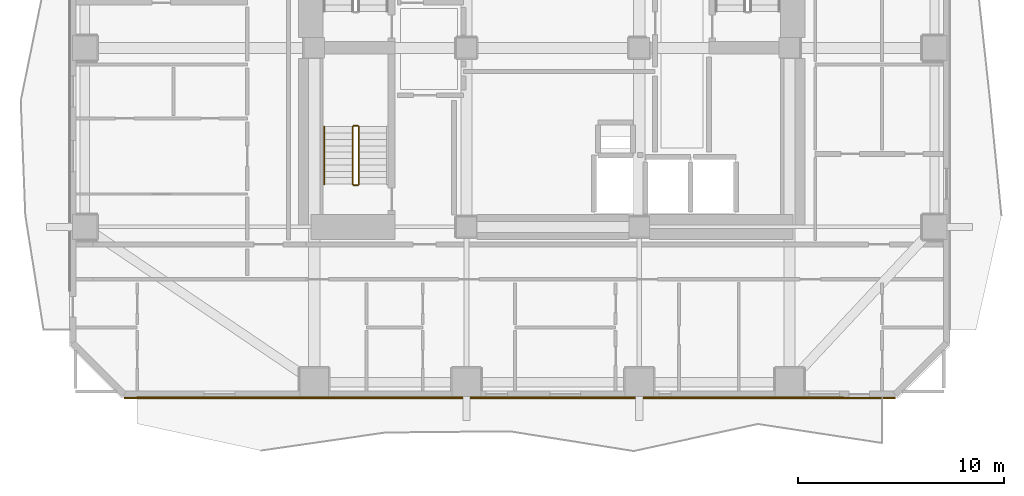
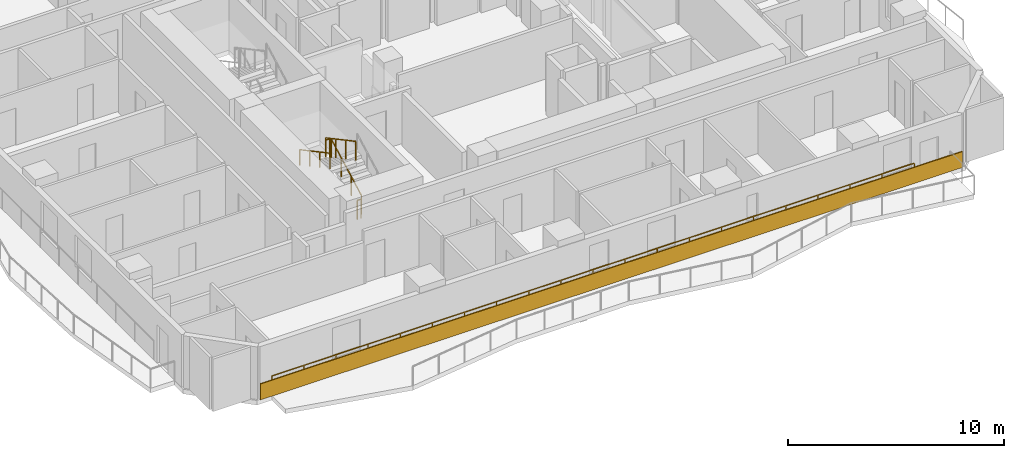
# One storey, part 9 of 12: 6 railings, 1 covering.
"""IFC4 building model written with IfcOpenShell, lengths in metres."""

from ifc_helpers import new_model, si_unit, direction, frame, frame_2d, origin, origin_2d, place, context, subcontext, project, spatial, rectangle, extrude, material, layer, layer_set, type_object, element, save


model = new_model("IFC4")

# Units and contexts
model_context = context("Model", 3, precision=1e-05, world=origin(), true_north=direction((0.0, 1.0)))
body_context = subcontext(model_context, "Body", "Model", "MODEL_VIEW")
ifc_project = project(units=[si_unit("LENGTHUNIT", "METRE"), si_unit("AREAUNIT", "SQUARE_METRE"), si_unit("VOLUMEUNIT", "CUBIC_METRE"), si_unit("PLANEANGLEUNIT", "RADIAN"), si_unit("MASSUNIT", "GRAM", prefix="KILO")], contexts=[model_context])

# Site, building, storey
site_placement = place(None, origin())
site = spatial("IfcSite", under=ifc_project, at=site_placement, CompositionType="ELEMENT")
building_placement = place(site_placement, origin())
building = spatial("IfcBuilding", under=site, at=building_placement, Name="Solanera Arch Residences", CompositionType="ELEMENT")
storey_placement = place(building_placement, frame((0.0, 0.0, 85.080078125)))
storey = spatial("IfcBuildingStorey", under=building, at=storey_placement, Name="L24", CompositionType="ELEMENT", Elevation=85.080078125)

# Railing
ifc_material_1 = material(Name="Steel S355 (ASTM A992 / A572 Grade 50)", Category="steel")
railing_type_1 = type_object("IfcRailingType", Name="Balustrade Railing BL-1100", PredefinedType="BALUSTRADE", material=ifc_material_1)
railing_1_placement = place(storey_placement, frame((39.083984375, 13.719970703125, 0.0)))
element("IfcRailing", 1, at=railing_1_placement, inside=storey, type_object=railing_type_1, Name="L24 S Balcony Balustrade 2", PredefinedType="BALUSTRADE", context=body_context, shape_type="SweptSolid", body=[
    extrude(rectangle(XDim=0.048095703125, YDim=0.048095703125, at=origin_2d()), frame((0.0, 0.0, 1.09619140625), z_axis=(-1.0, 0.0, 0.0), x_axis=(0.0, -1.0, 0.0)), (0.0, 0.0, 1.0), 34.283935546875),
    extrude(rectangle(XDim=0.0419921875, YDim=0.0419921875, at=origin_2d()), origin(), (0.0, 0.0, 1.0), 1.072021484375),
    extrude(rectangle(XDim=0.0419921875, YDim=0.0419921875, at=origin_2d()), frame((-1.714111328125, 0.0, 0.0)), (0.0, 0.0, 1.0), 1.072021484375),
    extrude(rectangle(XDim=0.0419921875, YDim=0.0419921875, at=origin_2d()), frame((-3.428466796875, 0.0, 0.0)), (0.0, 0.0, 1.0), 1.072021484375),
    extrude(rectangle(XDim=0.0419921875, YDim=0.0419921875, at=origin_2d()), frame((-5.142578125, 0.0, 0.0)), (0.0, 0.0, 1.0), 1.072021484375),
    extrude(rectangle(XDim=0.0419921875, YDim=0.0419921875, at=origin_2d()), frame((-6.856689453125, 0.0, 0.0)), (0.0, 0.0, 1.0), 1.072021484375),
    extrude(rectangle(XDim=0.0419921875, YDim=0.0419921875, at=origin_2d()), frame((-8.571044921875, 0.0, 0.0)), (0.0, 0.0, 1.0), 1.072021484375),
    extrude(rectangle(XDim=0.0419921875, YDim=0.0419921875, at=origin_2d()), frame((-10.28515625, 0.0, 0.0)), (0.0, 0.0, 1.0), 1.072021484375),
    extrude(rectangle(XDim=0.0419921875, YDim=0.0419921875, at=origin_2d()), frame((-11.999267578125, 0.0, 0.0)), (0.0, 0.0, 1.0), 1.072021484375),
    extrude(rectangle(XDim=0.0419921875, YDim=0.0419921875, at=origin_2d()), frame((-13.713623046875, 0.0, 0.0)), (0.0, 0.0, 1.0), 1.072021484375),
    extrude(rectangle(XDim=0.0419921875, YDim=0.0419921875, at=origin_2d()), frame((-15.427734375, 0.0, 0.0)), (0.0, 0.0, 1.0), 1.072021484375),
    extrude(rectangle(XDim=0.0419921875, YDim=0.0419921875, at=origin_2d()), frame((-17.14208984375, 0.0, 0.0)), (0.0, 0.0, 1.0), 1.072021484375),
    extrude(rectangle(XDim=0.0419921875, YDim=0.0419921875, at=origin_2d()), frame((-18.856201171875, 0.0, 0.0)), (0.0, 0.0, 1.0), 1.072021484375),
    extrude(rectangle(XDim=0.0419921875, YDim=0.0419921875, at=origin_2d()), frame((-20.5703125, 0.0, 0.0)), (0.0, 0.0, 1.0), 1.072021484375),
    extrude(rectangle(XDim=0.0419921875, YDim=0.0419921875, at=origin_2d()), frame((-22.28466796875, 0.0, 0.0)), (0.0, 0.0, 1.0), 1.072021484375),
    extrude(rectangle(XDim=0.0419921875, YDim=0.0419921875, at=origin_2d()), frame((-23.998779296875, 0.0, 0.0)), (0.0, 0.0, 1.0), 1.072021484375),
    extrude(rectangle(XDim=0.0419921875, YDim=0.0419921875, at=origin_2d()), frame((-25.712890625, 0.0, 0.0)), (0.0, 0.0, 1.0), 1.072021484375),
    extrude(rectangle(XDim=0.0419921875, YDim=0.0419921875, at=origin_2d()), frame((-27.42724609375, 0.0, 0.0)), (0.0, 0.0, 1.0), 1.072021484375),
    extrude(rectangle(XDim=0.0419921875, YDim=0.0419921875, at=origin_2d()), frame((-29.141357421875, 0.0, 0.0)), (0.0, 0.0, 1.0), 1.072021484375),
    extrude(rectangle(XDim=0.0419921875, YDim=0.0419921875, at=origin_2d()), frame((-30.85546875, 0.0, 0.0)), (0.0, 0.0, 1.0), 1.072021484375),
    extrude(rectangle(XDim=0.0419921875, YDim=0.0419921875, at=origin_2d()), frame((-32.56982421875, 0.0, 0.0)), (0.0, 0.0, 1.0), 1.072021484375),
    extrude(rectangle(XDim=0.0419921875, YDim=0.0419921875, at=origin_2d()), frame((-34.283935546875, 0.0, 0.0)), (0.0, 0.0, 1.0), 1.072021484375),
])

# Covering
ifc_material_2 = material(Name="Philippine Adobe Travertine Cladding", Category="masonry")
ifc_layer = layer(ifc_material_2, 0.06005859375)
ifc_layer_set = layer_set([ifc_layer], Name="Philippine Adobe Travertine Cladding")
covering_type = type_object("IfcCoveringType", Name="Precast Pier Stone Cladding CLD-60", PredefinedType="CLADDING", material=ifc_layer_set)
covering_placement = place(storey_placement, frame((41.635009765625, 13.68505859375, 0.0), z_axis=(0.0, 0.0, 1.0), x_axis=(-1.0, 0.0, 0.0)))
element("IfcCovering", 2, at=covering_placement, inside=storey, type_object=covering_type, Name="L24 S Precast Spandrel Stone Band", PredefinedType="CLADDING", context=body_context, shape_type="SweptSolid", body=[
    extrude(rectangle(XDim=37.469970703125, YDim=0.06005859375, at=frame_2d((18.73486328125, 0.0))), origin(), (0.0, 0.0, 1.0), 0.89990234375),
])

# Railings
ifc_material_3 = material(Name="Steel S355 (ASTM A992 / A572 Grade 50)", Category="steel")
railing_type_2 = type_object("IfcRailingType", Name="Stair Guardrail GR-1100", PredefinedType="GUARDRAIL", material=ifc_material_3)
railing_2_placement = place(storey_placement, frame((15.570068359375, 24.080078125, 0.15087890625)))
element("IfcRailing", 3, at=railing_2_placement, inside=storey, type_object=railing_type_2, Name="L24 ST-T3 stair guard 1", PredefinedType="GUARDRAIL", context=body_context, shape_type="SweptSolid", body=[
    extrude(rectangle(XDim=0.048095703125, YDim=0.048095703125, at=origin_2d()), frame((0.0, 0.0, 1.076171875), z_axis=(0.0, 0.881548766853, 0.472092969298), x_axis=(-1.0, 0.0, 0.0)), (0.0, 0.0, 1.0), 3.1650390625),
    extrude(rectangle(XDim=0.0419921875, YDim=0.0419921875, at=origin_2d()), origin(), (0.0, 0.0, 1.0), 1.052001953125),
    extrude(rectangle(XDim=0.0419921875, YDim=0.0419921875, at=origin_2d()), frame((0.0, 0.929931640625, 0.498046875)), (0.0, 0.0, 1.0), 1.052001953125),
    extrude(rectangle(XDim=0.0419921875, YDim=0.0419921875, at=origin_2d()), frame((0.0, 1.860107421875, 0.99609375)), (0.0, 0.0, 1.0), 1.052001953125),
    extrude(rectangle(XDim=0.0419921875, YDim=0.0419921875, at=origin_2d()), frame((0.0, 2.7900390625, 1.494140625)), (0.0, 0.0, 1.0), 1.052001953125),
])
railing_3_placement = place(storey_placement, frame((15.52001953125, 26.919921875, 1.64501953125)))
element("IfcRailing", 4, at=railing_3_placement, inside=storey, type_object=railing_type_2, Name="L24 ST-T3 stair guard 2", PredefinedType="GUARDRAIL", context=body_context, shape_type="SweptSolid", body=[
    extrude(rectangle(XDim=0.048095703125, YDim=0.048095703125, at=origin_2d()), frame((0.0, 0.0, 1.076171875), z_axis=(-1.0, 0.0, 0.0), x_axis=(0.0, -1.0, 0.0)), (0.0, 0.0, 1.0), 0.199951171875),
    extrude(rectangle(XDim=0.0419921875, YDim=0.0419921875, at=origin_2d()), origin(), (0.0, 0.0, 1.0), 1.052001953125),
    extrude(rectangle(XDim=0.0419921875, YDim=0.0419921875, at=origin_2d()), frame((-0.199951171875, 0.0, 0.0)), (0.0, 0.0, 1.0), 1.052001953125),
])
railing_4_placement = place(storey_placement, frame((15.27001953125, 26.8701171875, 1.81103515625)))
element("IfcRailing", 5, at=railing_4_placement, inside=storey, type_object=railing_type_2, Name="L24 ST-T3 stair guard 3", PredefinedType="GUARDRAIL", context=body_context, shape_type="SweptSolid", body=[
    extrude(rectangle(XDim=0.048095703125, YDim=0.048095703125, at=origin_2d()), frame((0.0, 0.0, 1.076171875), z_axis=(0.0, -0.881580869306, 0.472033018838), x_axis=(1.0, 0.0, 0.0)), (0.0, 0.0, 1.0), 3.164794921875),
    extrude(rectangle(XDim=0.0419921875, YDim=0.0419921875, at=origin_2d()), origin(), (0.0, 0.0, 1.0), 1.052001953125),
    extrude(rectangle(XDim=0.0419921875, YDim=0.0419921875, at=origin_2d()), frame((0.0, -0.929931640625, 0.498046875)), (0.0, 0.0, 1.0), 1.052001953125),
    extrude(rectangle(XDim=0.0419921875, YDim=0.0419921875, at=origin_2d()), frame((0.0, -1.860107421875, 0.995849609375)), (0.0, 0.0, 1.0), 1.052001953125),
    extrude(rectangle(XDim=0.0419921875, YDim=0.0419921875, at=origin_2d()), frame((0.0, -2.7900390625, 1.493896484375)), (0.0, 0.0, 1.0), 1.052001953125),
])
railing_5_placement = place(storey_placement, frame((15.52001953125, 24.030029296875, -0.01513671875)))
element("IfcRailing", 6, at=railing_5_placement, inside=storey, type_object=railing_type_2, Name="L24 ST-T3 stair guard 4", PredefinedType="GUARDRAIL", context=body_context, shape_type="SweptSolid", body=[
    extrude(rectangle(XDim=0.048095703125, YDim=0.048095703125, at=origin_2d()), frame((0.0, 0.0, 1.076171875), z_axis=(-1.0, 0.0, 0.0), x_axis=(0.0, -1.0, 0.0)), (0.0, 0.0, 1.0), 0.199951171875),
    extrude(rectangle(XDim=0.0419921875, YDim=0.0419921875, at=origin_2d()), origin(), (0.0, 0.0, 1.0), 1.052001953125),
    extrude(rectangle(XDim=0.0419921875, YDim=0.0419921875, at=origin_2d()), frame((-0.199951171875, 0.0, 0.0)), (0.0, 0.0, 1.0), 1.052001953125),
])
ifc_material_4 = material(Name="Steel S355 (ASTM A992 / A572 Grade 50)", Category="steel")
railing_type_3 = type_object("IfcRailingType", Name="Stair Wall Handrail HR-920", PredefinedType="HANDRAIL", material=ifc_material_4)
railing_6_placement = place(storey_placement, frame((13.889892578125, 26.8701171875, 1.825927734375)))
element("IfcRailing", 7, at=railing_6_placement, inside=storey, type_object=railing_type_3, Name="L24 ST-T3 stair handrail 2", PredefinedType="HANDRAIL", context=body_context, shape_type="SweptSolid", body=[
    extrude(rectangle(XDim=0.048095703125, YDim=0.048095703125, at=origin_2d()), frame((0.0, 0.0, 0.8759765625), z_axis=(0.0, -0.881580869306, 0.472033018838), x_axis=(1.0, 0.0, 0.0)), (0.0, 0.0, 1.0), 3.164794921875),
    extrude(rectangle(XDim=0.0419921875, YDim=0.0419921875, at=origin_2d()), origin(), (0.0, 0.0, 1.0), 0.851806640625),
    extrude(rectangle(XDim=0.0419921875, YDim=0.0419921875, at=origin_2d()), frame((0.0, -0.929931640625, 0.498046875)), (0.0, 0.0, 1.0), 0.851806640625),
    extrude(rectangle(XDim=0.0419921875, YDim=0.0419921875, at=origin_2d()), frame((0.0, -1.860107421875, 0.995849609375)), (0.0, 0.0, 1.0), 0.851806640625),
    extrude(rectangle(XDim=0.0419921875, YDim=0.0419921875, at=origin_2d()), frame((0.0, -2.7900390625, 1.493896484375)), (0.0, 0.0, 1.0), 0.851806640625),
])

save(model, "model.ifc")
